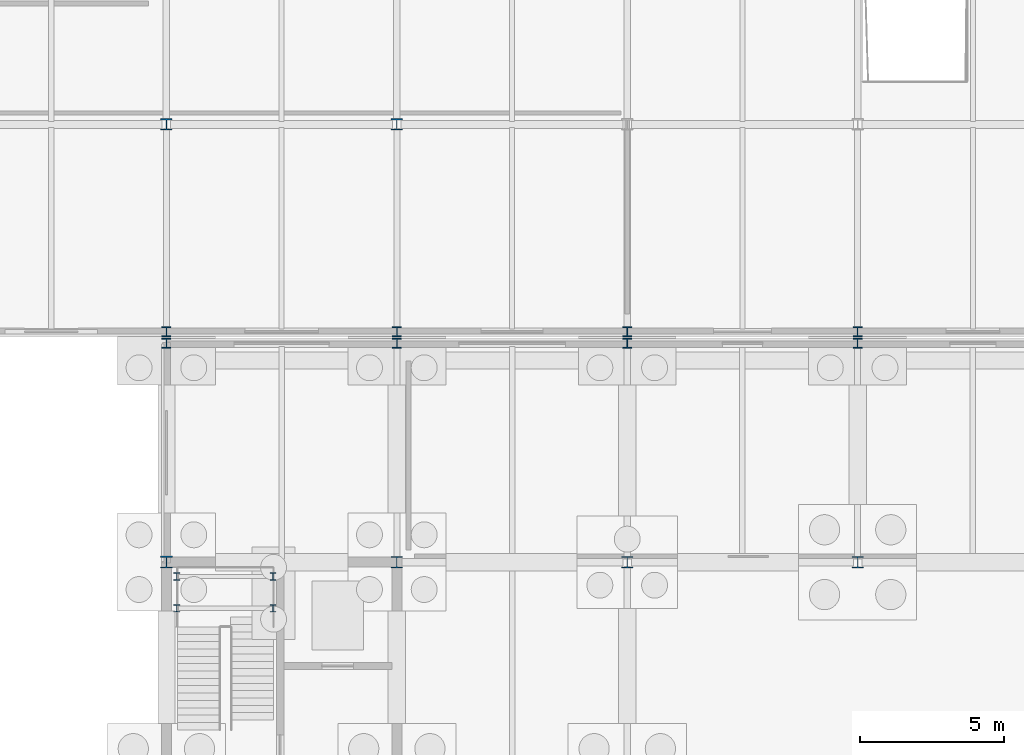
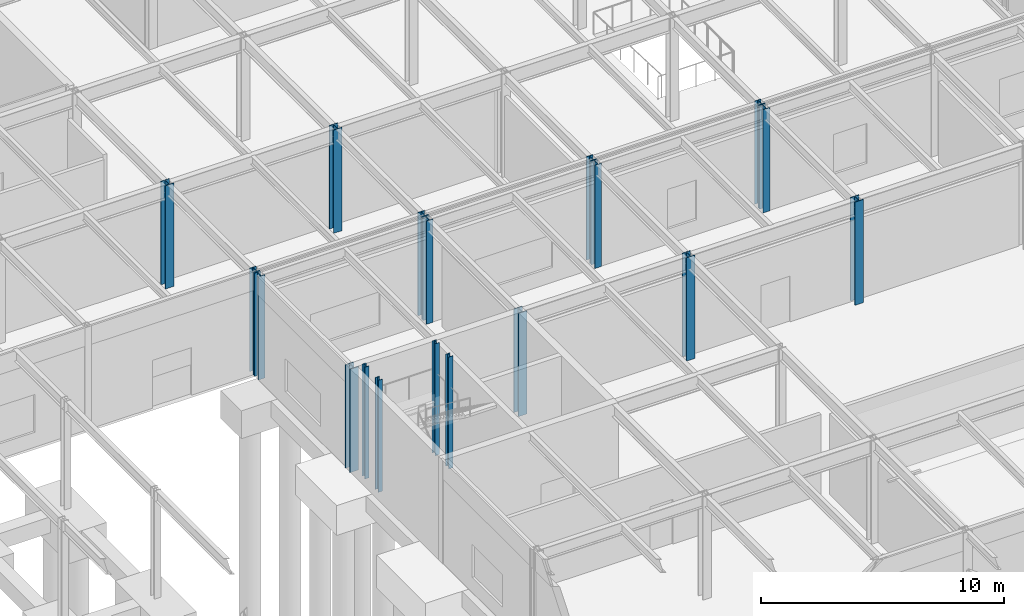
# One storey, part 18 of 62: 18 columns.
"""IFC4 building model written with IfcOpenShell, lengths in metres."""

import ifcopenshell
import ifcopenshell.guid

model = None  # the IFC model being written
_history = None  # IfcOwnerHistory: only IFC2X3 demands one
_inside = {}  # id of a spatial element -> (the spatial element, [elements in it])
_under = {}  # id of a project, library or spatial element -> (it, [spatial elements below it])
_declared = {}  # id of a project -> (the project, [libraries it declares])
_typed = {}  # id of a type object -> (the type object, [elements of that type])
_made_of = {}  # id of a material, layer set ... -> (it, [elements and type objects made of it])


def new_model(schema):
    """Start an empty IFC model of exactly this schema.

    Asked for "IFC4X3", IfcOpenShell would pick the latest addendum, in which some entities
    have other attributes; the version numbers below select the first issue.
    IFC2X3 requires an IfcOwnerHistory on every rooted entity: one is made here for all.
    """
    global model, _history
    if schema == "IFC4X3":
        model = ifcopenshell.file(schema_version=(4, 3, 0, 0))
    else:
        model = ifcopenshell.file(schema=schema)
    _inside.clear()
    _under.clear()
    _declared.clear()
    _typed.clear()
    _made_of.clear()
    _history = None
    if model.schema == "IFC2X3":
        org = make("IfcOrganization", Name="unknown")
        user = make(
            "IfcPersonAndOrganization",
            ThePerson=make("IfcPerson", FamilyName="unknown"),
            TheOrganization=org,
        )
        app = make(
            "IfcApplication",
            ApplicationDeveloper=org,
            Version="unknown",
            ApplicationFullName="unknown",
            ApplicationIdentifier="unknown",
        )
        _history = make(
            "IfcOwnerHistory",
            OwningUser=user,
            OwningApplication=app,
            ChangeAction="ADDED",
            CreationDate=0,
        )
    return model


def make(cls, **values):
    """One entity of the class cls with the attributes given. An attribute that is None is left unset."""
    return model.create_entity(
        cls, **{name: value for name, value in values.items() if value is not None}
    )


def rooted(cls, **values):
    """An entity with a GlobalId (a new one), such as an element, a storey or a relation."""
    return make(cls, GlobalId=ifcopenshell.guid.new(), OwnerHistory=_history, **values)


def si_unit(unit_type, name, prefix=None):
    """IfcSIUnit, for example si_unit("LENGTHUNIT", "METRE", prefix="MILLI")."""
    return make("IfcSIUnit", UnitType=unit_type, Prefix=prefix, Name=name)


def assignment(units):
    """IfcUnitAssignment: the units of a project."""
    return None if units is None else make("IfcUnitAssignment", Units=units)


def point(xyz):
    """IfcCartesianPoint."""
    return None if xyz is None else make("IfcCartesianPoint", Coordinates=xyz)


def direction(xyz):
    """IfcDirection."""
    return None if xyz is None else make("IfcDirection", DirectionRatios=xyz)


def frame(location, z_axis=None, x_axis=None):
    """IfcAxis2Placement3D, a coordinate frame: its origin and axes. An axis left out is left unset."""
    return make(
        "IfcAxis2Placement3D",
        Location=point(location),
        Axis=direction(z_axis),
        RefDirection=direction(x_axis),
    )


def frame_2d(location, x_axis=None):
    """IfcAxis2Placement2D, a coordinate frame in the plane: its origin and x axis."""
    return make(
        "IfcAxis2Placement2D", Location=point(location), RefDirection=direction(x_axis)
    )


def origin():
    """The frame at (0, 0, 0) with its axes left unset."""
    return frame((0.0, 0.0, 0.0))


def origin_2d():
    """The frame at (0, 0) in the plane with its x axis left unset."""
    return frame_2d((0.0, 0.0))


def place(relative_to, where):
    """IfcLocalPlacement: puts the frame where relative to a parent placement (None: the world)."""
    return make(
        "IfcLocalPlacement", PlacementRelTo=relative_to, RelativePlacement=where
    )


def context(
    kind, dimensions, precision=None, world=None, true_north=None, identifier=None
):
    """IfcGeometricRepresentationContext, for example the 3D "Model" context."""
    return make(
        "IfcGeometricRepresentationContext",
        ContextIdentifier=identifier,
        ContextType=kind,
        CoordinateSpaceDimension=dimensions,
        Precision=precision,
        WorldCoordinateSystem=world,
        TrueNorth=true_north,
    )


def subcontext(parent, identifier, kind, view, scale=None):
    """IfcGeometricRepresentationSubContext, for example "Body" below "Model"."""
    return make(
        "IfcGeometricRepresentationSubContext",
        ContextIdentifier=identifier,
        ContextType=kind,
        ParentContext=parent,
        TargetScale=scale,
        TargetView=view,
    )


def project(units=None, contexts=None):
    """IfcProject with its units and contexts."""
    return rooted(
        "IfcProject",
        Name="project",
        RepresentationContexts=contexts,
        UnitsInContext=assignment(units),
    )


def spatial(cls, under=None, at=None, **own):
    """A site, building, storey or space (cls), placed at a placement, below another one or the project."""
    s = rooted(cls, ObjectPlacement=at, **own)
    if under is not None:
        _under.setdefault(under.id(), (under, []))[1].append(s)
    return s


def profile(cls, at=None, kind="AREA", **sizes):
    """A parametric profile (cls). Its sizes go by their IFC names, for example OverallWidth=200.0."""
    return make(cls, ProfileType=kind, Position=at, **sizes)


def i_section(**sizes):
    """IfcIShapeProfileDef."""
    return profile("IfcIShapeProfileDef", **sizes)


def extrude(swept, where, along, depth):
    """IfcExtrudedAreaSolid: the profile swept, set in the frame where, extruded along a direction by depth."""
    return make(
        "IfcExtrudedAreaSolid",
        SweptArea=swept,
        Position=where,
        ExtrudedDirection=direction(along),
        Depth=depth,
    )


def shape(context_of_items, identifier, shape_type, items):
    """IfcShapeRepresentation: the items that make up one representation, for example the "Body"."""
    return make(
        "IfcShapeRepresentation",
        ContextOfItems=context_of_items,
        RepresentationIdentifier=identifier,
        RepresentationType=shape_type,
        Items=items,
    )


def material(Name=None, Category=None):
    """IfcMaterial."""
    return make("IfcMaterial", Name=Name, Category=Category)


def material_profile(
    of_material, cross_section, Name=None, Category=None, Priority=None
):
    """IfcMaterialProfile: a cross section and its material."""
    return make(
        "IfcMaterialProfile",
        Name=Name,
        Material=of_material,
        Profile=cross_section,
        Priority=Priority,
        Category=Category,
    )


def profile_set(profiles, Name=None, composite=None):
    """IfcMaterialProfileSet."""
    return make(
        "IfcMaterialProfileSet",
        Name=Name,
        MaterialProfiles=profiles,
        CompositeProfile=composite,
    )


def made_of(thing, what):
    """Note that an element or type object is made of a material, layer set ...; save() writes the relation."""
    if what is not None:
        _made_of.setdefault(what.id(), (what, []))[1].append(thing)
    return thing


def type_object(cls, material=None, **own):
    """A type object (cls), such as IfcWallType, which elements share."""
    return made_of(rooted(cls, **own), material)


def element(
    cls,
    number,
    at=None,
    inside=None,
    cuts=None,
    type_object=None,
    material=None,
    context=None,
    identifier="Body",
    shape_type=None,
    held_by="IfcProductDefinitionShape",
    body=None,
    shapes=None,
    **own,
):
    """One element of the class cls, such as IfcWall. Its Tag is "e" and its number.

    at: its placement. inside: the storey or other place that contains it. cuts: it is an
    opening in that element (IfcRelVoidsElement). A single representation is given by context,
    identifier, shape_type and body (its items); several are given by shapes. held_by: the class
    of the entity that holds the representations. save() writes the other relations.
    """
    e = rooted(cls, Tag="e%d" % number, ObjectPlacement=at, **own)
    if body is not None:
        shapes = [shape(context, identifier, shape_type, body)]
    if shapes is not None:
        e.Representation = make(held_by, Representations=shapes)
    if inside is not None:
        _inside.setdefault(inside.id(), (inside, []))[1].append(e)
    if cuts is not None:
        rooted(
            "IfcRelVoidsElement", RelatingBuildingElement=cuts, RelatedOpeningElement=e
        )
    if type_object is not None:
        _typed.setdefault(type_object.id(), (type_object, []))[1].append(e)
    return made_of(e, material)


def aggregate(whole, parts):
    """IfcRelAggregates: a whole, such as a stair, and the parts it consists of."""
    return rooted("IfcRelAggregates", RelatingObject=whole, RelatedObjects=parts)


def save(model, path):
    """Write the relations noted so far, then the file.

    IfcRelAggregates (storeys below a building ...), IfcRelContainedInSpatialStructure (elements
    in a storey), IfcRelDefinesByType, IfcRelAssociatesMaterial and IfcRelDeclares: one each for
    every whole, place, type object, material and project.
    """
    for whole, parts in _under.values():
        aggregate(whole, parts)
    for where, things in _inside.values():
        rooted(
            "IfcRelContainedInSpatialStructure",
            RelatedElements=things,
            RelatingStructure=where,
        )
    for kind, things in _typed.values():
        rooted("IfcRelDefinesByType", RelatedObjects=things, RelatingType=kind)
    for what, things in _made_of.values():
        rooted("IfcRelAssociatesMaterial", RelatedObjects=things, RelatingMaterial=what)
    for by, libraries in _declared.values():
        rooted("IfcRelDeclares", RelatingContext=by, RelatedDefinitions=libraries)
    model.write(path)


model = new_model("IFC4")

# Units and contexts
model_context = context("Model", 3, precision=1e-05, world=origin(), true_north=direction((0.0, 1.0)))
body_context = subcontext(model_context, "Body", "Model", "MODEL_VIEW")
ifc_project = project(units=[si_unit("LENGTHUNIT", "METRE"), si_unit("AREAUNIT", "SQUARE_METRE"), si_unit("VOLUMEUNIT", "CUBIC_METRE"), si_unit("PLANEANGLEUNIT", "RADIAN"), si_unit("MASSUNIT", "GRAM", prefix="KILO")], contexts=[model_context])

# Site, building, storey
site_placement = place(None, origin())
site = spatial("IfcSite", under=ifc_project, at=site_placement, CompositionType="ELEMENT")
building_placement = place(site_placement, origin())
building = spatial("IfcBuilding", under=site, at=building_placement, Name="Zulena Civic Courthouse", CompositionType="ELEMENT")
storey_placement = place(building_placement, origin())
storey = spatial("IfcBuildingStorey", under=building, at=storey_placement, Name="L00", CompositionType="ELEMENT", Elevation=0.0)

# Columns
ifc_material = material(Name="Steel ASTM A992 Grade 50", Category="steel")
ifc_material_profile_1 = material_profile(ifc_material, i_section(OverallWidth=0.2041015625, OverallDepth=0.257080078125, WebThickness=0.0087890625, FlangeThickness=0.015625, FilletRadius=0.0126953125, at=origin_2d()), Name="W10X45")
ifc_profile_set_1 = profile_set([ifc_material_profile_1], Name="Steel ASTM A992 Grade 50")
column_type_1 = type_object("IfcColumnType", Name="Col_W10X45", PredefinedType="COLUMN", material=ifc_profile_set_1)
for number, where, z_axis, x_axis, name in (
    (1, (68.360107421875, 36.39990234375, -0.22998046875), (0.0, 0.0, 1.0), (1.0, 0.0, 0.0), "col:lnd:K4A:L00:0:0"),
    (2, (71.699951171875, 36.39990234375, -0.22998046875), (0.0, 0.0, 1.0), (1.0, 0.0, 0.0), "col:lnd:K4A:L00:0:1"),
    (3, (68.360107421875, 37.5, -0.22998046875), (0.0, 0.0, 1.0), (1.0, 0.0, 0.0), "col:lnd:K4A:L00:1:0"),
    (4, (71.699951171875, 37.5, -0.22998046875), (0.0, 0.0, 1.0), (1.0, 0.0, 0.0), "col:lnd:K4A:L00:1:1"),
):
    element("IfcColumn", number, at=place(storey_placement, frame(where, z_axis=z_axis, x_axis=x_axis)), inside=storey, type_object=column_type_1, Name=name, PredefinedType="COLUMN", context=body_context, shape_type="SweptSolid", body=[
        extrude(i_section(OverallWidth=0.2041015625, OverallDepth=0.257080078125, WebThickness=0.0087890625, FlangeThickness=0.015625, FilletRadius=0.0126953125, at=origin_2d()), origin(), (0.0, 0.0, 1.0), 5.625),
    ])
ifc_material_profile_2 = material_profile(ifc_material, i_section(OverallWidth=0.31298828125, OverallDepth=0.3330078125, WebThickness=0.01806640625, FlangeThickness=0.0283203125, FilletRadius=0.01513671875, at=origin_2d()), Name="W12X120")
ifc_profile_set_2 = profile_set([ifc_material_profile_2], Name="Steel ASTM A992 Grade 50")
column_type_2 = type_object("IfcColumnType", Name="Col_W12X120", PredefinedType="COLUMN", material=ifc_profile_set_2)
for number, where, z_axis, x_axis, name in (
    (5, (68.0, 45.60009765625, 0.0), (0.0, 0.0, 1.0), (1.0, 0.0, 0.0), "col:V4:L00:68.0:45.6"),
    (6, (76.0, 45.60009765625, 0.0), (0.0, 0.0, 1.0), (1.0, 0.0, 0.0), "col:V4:L00:76.0:45.6"),
    (7, (84.0, 45.60009765625, 0.0), (0.0, 0.0, 1.0), (1.0, 0.0, 0.0), "col:V4:L00:84.0:45.6"),
    (8, (92.0, 45.60009765625, 0.0), (0.0, 0.0, 1.0), (1.0, 0.0, 0.0), "col:V4:L00:92.0:45.6"),
    (9, (68.0, 46.0, 0.0), (0.0, 0.0, 1.0), (1.0, 0.0, 0.0), "col:V5:L00:68.0:46.0"),
    (10, (76.0, 46.0, 0.0), (0.0, 0.0, 1.0), (1.0, 0.0, 0.0), "col:V5:L00:76.0:46.0"),
    (11, (84.0, 46.0, 0.0), (0.0, 0.0, 1.0), (1.0, 0.0, 0.0), "col:V5:L00:84.0:46.0"),
    (12, (92.0, 46.0, 0.0), (0.0, 0.0, 1.0), (1.0, 0.0, 0.0), "col:V5:L00:92.0:46.0"),
):
    element("IfcColumn", number, at=place(storey_placement, frame(where, z_axis=z_axis, x_axis=x_axis)), inside=storey, type_object=column_type_2, Name=name, PredefinedType="COLUMN", context=body_context, shape_type="SweptSolid", body=[
        extrude(i_section(OverallWidth=0.31298828125, OverallDepth=0.3330078125, WebThickness=0.01806640625, FlangeThickness=0.0283203125, FilletRadius=0.01513671875, at=origin_2d()), origin(), (0.0, 0.0, 1.0), 5.18505859375),
    ])
ifc_material_profile_3 = material_profile(ifc_material, i_section(OverallWidth=0.40087890625, OverallDepth=0.39892578125, WebThickness=0.02490234375, FlangeThickness=0.03955078125, FilletRadius=0.01513671875, at=origin_2d()), Name="W14X211")
ifc_profile_set_3 = profile_set([ifc_material_profile_3], Name="Steel ASTM A992 Grade 50")
column_type_3 = type_object("IfcColumnType", Name="Col_W14X211", PredefinedType="COLUMN", material=ifc_profile_set_3)
for number, where, z_axis, x_axis, name in (
    (13, (76.0, 38.0, 0.0), (0.0, 0.0, 1.0), (1.0, 0.0, 0.0), "col:V4:L00:76.0:38.0"),
    (14, (84.0, 38.0, 0.0), (0.0, 0.0, 1.0), (1.0, 0.0, 0.0), "col:V4:L00:84.0:38.0"),
    (15, (92.0, 38.0, 0.0), (0.0, 0.0, 1.0), (1.0, 0.0, 0.0), "col:V4:L00:92.0:38.0"),
    (16, (68.0, 53.199951171875, 0.0), (0.0, 0.0, 1.0), (1.0, 0.0, 0.0), "col:V5:L00:68.0:53.2"),
    (17, (76.0, 53.199951171875, 0.0), (0.0, 0.0, 1.0), (1.0, 0.0, 0.0), "col:V5:L00:76.0:53.2"),
):
    element("IfcColumn", number, at=place(storey_placement, frame(where, z_axis=z_axis, x_axis=x_axis)), inside=storey, type_object=column_type_3, Name=name, PredefinedType="COLUMN", context=body_context, shape_type="SweptSolid", body=[
        extrude(i_section(OverallWidth=0.40087890625, OverallDepth=0.39892578125, WebThickness=0.02490234375, FlangeThickness=0.03955078125, FilletRadius=0.01513671875, at=origin_2d()), origin(), (0.0, 0.0, 1.0), 5.18505859375),
    ])
ifc_material_profile_4 = material_profile(ifc_material, i_section(OverallWidth=0.406005859375, OverallDepth=0.416015625, WebThickness=0.02978515625, FlangeThickness=0.048095703125, FilletRadius=0.01513671875, at=origin_2d()), Name="W14X257")
ifc_profile_set_4 = profile_set([ifc_material_profile_4], Name="Steel ASTM A992 Grade 50")
column_type_4 = type_object("IfcColumnType", Name="Col_W14X257", PredefinedType="COLUMN", material=ifc_profile_set_4)
column_placement = place(storey_placement, frame((68.0, 38.0, 0.0), z_axis=(0.0, 0.0, 1.0), x_axis=(1.0, 0.0, 0.0)))
element("IfcColumn", 18, at=column_placement, inside=storey, type_object=column_type_4, Name="col:V4:L00:68.0:38.0", PredefinedType="COLUMN", context=body_context, shape_type="SweptSolid", body=[
    extrude(i_section(OverallWidth=0.406005859375, OverallDepth=0.416015625, WebThickness=0.02978515625, FlangeThickness=0.048095703125, FilletRadius=0.01513671875, at=origin_2d()), origin(), (0.0, 0.0, 1.0), 5.18505859375),
])

save(model, "model.ifc")
